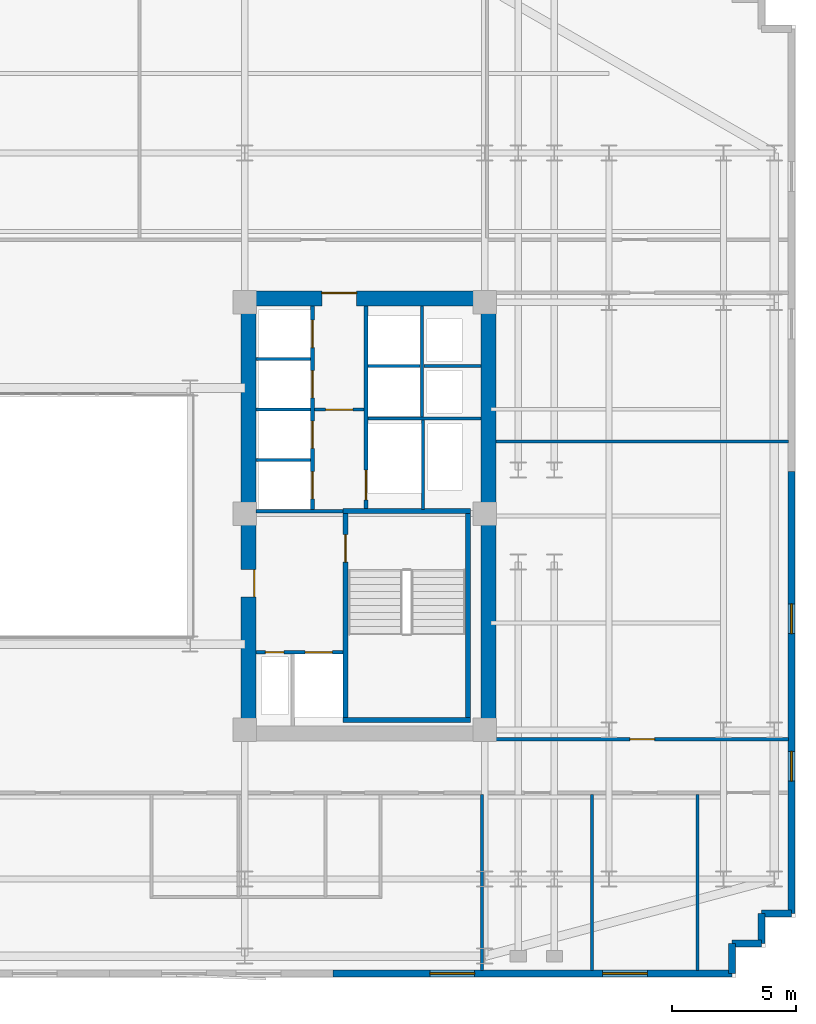
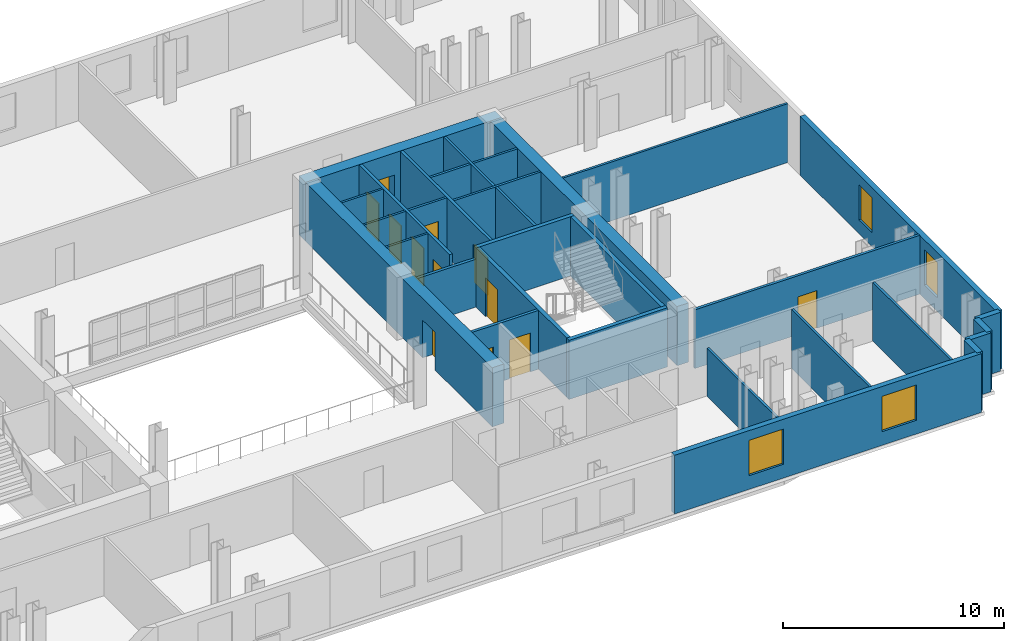
# One storey, part 9 of 12: 31 walls, 12 doors, 4 windows, 16 openings.
"""IFC4 building model written with IfcOpenShell, lengths in metres."""

from ifc_helpers import new_model, si_unit, direction, frame, frame_2d, origin, place, context, subcontext, project, spatial, rectangle, extrude, material, layer, layer_set, type_object, element, fill, save


model = new_model("IFC4")

# Units and contexts
model_context = context("Model", 3, precision=1e-05, world=origin(), true_north=direction((0.0, 1.0)))
body_context = subcontext(model_context, "Body", "Model", "MODEL_VIEW")
ifc_project = project(units=[si_unit("LENGTHUNIT", "METRE"), si_unit("AREAUNIT", "SQUARE_METRE"), si_unit("VOLUMEUNIT", "CUBIC_METRE"), si_unit("PLANEANGLEUNIT", "RADIAN"), si_unit("MASSUNIT", "GRAM", prefix="KILO")], contexts=[model_context])

# Site, building, storey
site_placement = place(None, origin())
site = spatial("IfcSite", under=ifc_project, at=site_placement, CompositionType="ELEMENT")
building_placement = place(site_placement, origin())
building = spatial("IfcBuilding", under=site, at=building_placement, Name="Velakula Bourse", CompositionType="ELEMENT")
storey_placement = place(building_placement, frame((0.0, 0.0, 134.64990234375)))
storey = spatial("IfcBuildingStorey", under=building, at=storey_placement, Name="L36", CompositionType="ELEMENT", Elevation=134.64990234375)

# Wall, opening, door
ifc_material_1 = material(Name="Concrete M50 (fck 50 MPa)", Category="concrete")
ifc_layer_1 = layer(ifc_material_1, 0.2099609375, Name="Concrete M50 (fck 50 MPa)", Category="concrete")
ifc_layer_set_1 = layer_set([ifc_layer_1], Name="Concrete M50 (fck 50 MPa)")
wall_type_1 = type_object("IfcWallType", Name="WL-CORE-210", PredefinedType="SHEAR", material=ifc_layer_set_1)
wall_1_placement = place(storey_placement, frame((12.9951171875, -8.10009765625, 0.0), z_axis=(0.0, 0.0, 1.0), x_axis=(0.0, 1.0, 0.0)))
wall_1 = element("IfcWall", 1, at=wall_1_placement, inside=storey, type_object=wall_type_1, Name="L36 Core E Stairwell Shear Wall IN", PredefinedType="SHEAR", context=body_context, shape_type="SweptSolid", body=[
    extrude(rectangle(XDim=8.2001953125, YDim=0.2099609375, at=frame_2d((4.10009765625, 0.0))), origin(), (0.0, 0.0, 1.0), 3.27001953125),
])
opening_1_placement = place(wall_1_placement, frame((6.25, 0.0, 0.0)))
opening_1 = element("IfcOpeningElement", 2, at=opening_1_placement, cuts=wall_1, Name="Opening D-STE1", PredefinedType="OPENING", context=body_context, shape_type="SweptSolid", body=[
    extrude(rectangle(XDim=1.10009765625, YDim=2.14990234375, at=frame_2d((0.550048828125, 1.074951171875))), frame((0.0, 0.114990234375, 0.0), z_axis=(0.0, -1.0, 0.0), x_axis=(1.0, 0.0, 0.0)), (0.0, 0.0, 1.0), 0.22998046875),
])
ifc_material_2 = material(Name="Galvanised painted hollow steel fire door", Category="steel")
door_type_1 = type_object("IfcDoorType", Name="DR-FD120-1100x2150", OperationType="NOTDEFINED", PredefinedType="DOOR", material=ifc_material_2)
door_1_placement = place(opening_1_placement, origin())
door_1 = element("IfcDoor", 3, at=door_1_placement, inside=storey, type_object=door_type_1, Name="L36 Stair ST-E1 Fire Door", OperationType="SINGLE_SWING_RIGHT", OverallHeight=2.14990234375, OverallWidth=1.10009765625, PredefinedType="DOOR", context=body_context, shape_type="SweptSolid", body=[
    extrude(rectangle(XDim=1.10009765625, YDim=2.14990234375, at=frame_2d((0.550048828125, 1.074951171875))), frame((0.0, 0.02490234375, 0.0), z_axis=(0.0, -1.0, 0.0), x_axis=(1.0, 0.0, 0.0)), (0.0, 0.0, 1.0), 0.050048828125),
])
fill(opening_1, door_1)

# Walls
wall_2_placement = place(storey_placement, frame((17.925048828125, -8.10009765625, 0.0), z_axis=(0.0, 0.0, 1.0), x_axis=(0.0, 1.0, 0.0)))
element("IfcWall", 4, at=wall_2_placement, inside=storey, type_object=wall_type_1, Name="L36 Core E Stairwell Shear Wall OUT", PredefinedType="SHEAR", context=body_context, shape_type="SweptSolid", body=[
    extrude(rectangle(XDim=8.2001953125, YDim=0.2099609375, at=frame_2d((4.10009765625, 0.0))), origin(), (0.0, 0.0, 1.0), 3.27001953125),
])
for number, where, z_axis, x_axis, name in (
    (5, (12.889892578125, -8.205078125, 0.0), (0.0, 0.0, 1.0), (1.0, 0.0, 0.0), "L36 Core E Stairwell Shear Wall S"),
    (6, (18.030029296875, 0.205078125, 0.0), (0.0, 0.0, 1.0), (-1.0, 0.0, 0.0), "L36 Core E Stairwell Shear Wall N"),
):
    element("IfcWall", number, at=place(storey_placement, frame(where, z_axis=z_axis, x_axis=x_axis)), inside=storey, type_object=wall_type_1, Name=name, PredefinedType="SHEAR", context=body_context, shape_type="SweptSolid", body=[
        extrude(rectangle(XDim=5.14013671875, YDim=0.2099609375, at=frame_2d((2.570068359375, 0.0))), origin(), (0.0, 0.0, 1.0), 3.27001953125),
    ])

# Wall, opening, door
ifc_material_3 = material(Name="Concrete M70 (fck 70 MPa)", Category="concrete")
ifc_layer_2 = layer(ifc_material_3, 0.60009765625, Name="Concrete M70 (fck 70 MPa)", Category="concrete")
ifc_layer_set_2 = layer_set([ifc_layer_2], Name="Concrete M70 (fck 70 MPa)")
wall_type_2 = type_object("IfcWallType", Name="WL-CORE-600", PredefinedType="SHEAR", material=ifc_layer_set_2)
wall_3_placement = place(storey_placement, frame((8.800048828125, 8.75, 0.0), z_axis=(0.0, 0.0, 1.0), x_axis=(1.0, 0.0, 0.0)))
wall_3 = element("IfcWall", 7, at=wall_3_placement, inside=storey, type_object=wall_type_2, Name="L36 Core E Shear Wall N", PredefinedType="SHEAR", context=body_context, shape_type="SweptSolid", body=[
    extrude(rectangle(XDim=10.25, YDim=0.60009765625, at=frame_2d((5.125, 0.0))), origin(), (0.0, 0.0, 1.0), 3.27001953125),
])
opening_2_placement = place(wall_3_placement, frame((3.25, 0.0, 0.0)))
opening_2 = element("IfcOpeningElement", 8, at=opening_2_placement, cuts=wall_3, Name="Opening D-LLE", PredefinedType="OPENING", context=body_context, shape_type="SweptSolid", body=[
    extrude(rectangle(XDim=1.39990234375, YDim=2.050048828125, at=frame_2d((0.699951171875, 1.02490234375))), frame((0.0, 0.31005859375, 0.0), z_axis=(0.0, -1.0, 0.0), x_axis=(1.0, 0.0, 0.0)), (0.0, 0.0, 1.0), 0.6201171875),
])
ifc_material_4 = material(Name="Fire-rated hardwood flush architectural door", Category="wood")
door_type_2 = type_object("IfcDoorType", Name="DR-DBL-FD60-1400", OperationType="DOUBLE_DOOR_SINGLE_SWING", PredefinedType="DOOR", material=ifc_material_4)
door_2_placement = place(opening_2_placement, origin())
door_2 = element("IfcDoor", 9, at=door_2_placement, inside=storey, type_object=door_type_2, Name="L36 Core E Lift Lobby Corridor Double Door", OperationType="DOUBLE_DOOR_SINGLE_SWING", OverallHeight=2.050048828125, OverallWidth=1.39990234375, PredefinedType="DOOR", context=body_context, shape_type="SweptSolid", body=[
    extrude(rectangle(XDim=1.39990234375, YDim=2.050048828125, at=frame_2d((0.699951171875, 1.02490234375))), frame((0.0, 0.2451171875, 0.0), z_axis=(0.0, -1.0, 0.0), x_axis=(1.0, 0.0, 0.0)), (0.0, 0.0, 1.0), 0.050048828125),
])
fill(opening_2, door_2)

wall_4_placement = place(storey_placement, frame((9.10009765625, -8.449951171875, 0.0), z_axis=(0.0, 0.0, 1.0), x_axis=(0.0, 1.0, 0.0)))
wall_4 = element("IfcWall", 10, at=wall_4_placement, inside=storey, type_object=wall_type_2, Name="L36 Core E Shear Wall W", PredefinedType="SHEAR", context=body_context, shape_type="SweptSolid", body=[
    extrude(rectangle(XDim=16.89990234375, YDim=0.60009765625, at=frame_2d((8.449951171875, 0.0))), origin(), (0.0, 0.0, 1.0), 3.27001953125),
])
opening_3_placement = place(wall_4_placement, frame((5.199951171875, 0.0, 0.0)))
opening_3 = element("IfcOpeningElement", 11, at=opening_3_placement, cuts=wall_4, Name="Opening D-FLE", PredefinedType="OPENING", context=body_context, shape_type="SweptSolid", body=[
    extrude(rectangle(XDim=1.10009765625, YDim=2.080078125, at=frame_2d((0.550048828125, 1.0400390625))), frame((0.0, 0.31005859375, 0.0), z_axis=(0.0, -1.0, 0.0), x_axis=(1.0, 0.0, 0.0)), (0.0, 0.0, 1.0), 0.6201171875),
])
door_type_3 = type_object("IfcDoorType", Name="DR-FD120-1100", OperationType="NOTDEFINED", PredefinedType="DOOR", material=ifc_material_2)
door_3_placement = place(opening_3_placement, origin())
door_3 = element("IfcDoor", 12, at=door_3_placement, inside=storey, type_object=door_type_3, Name="L36 Firefighting Lobby E Corridor Fire Door", OperationType="SINGLE_SWING_RIGHT", OverallHeight=2.080078125, OverallWidth=1.10009765625, PredefinedType="DOOR", context=body_context, shape_type="SweptSolid", body=[
    extrude(rectangle(XDim=1.10009765625, YDim=2.080078125, at=frame_2d((0.550048828125, 1.0400390625))), frame((0.0, -0.205078125, 0.0), z_axis=(0.0, -1.0, 0.0), x_axis=(1.0, 0.0, 0.0)), (0.0, 0.0, 1.0), 0.050048828125),
])
fill(opening_3, door_3)

# Wall
wall_5_placement = place(storey_placement, frame((18.75, -8.449951171875, 0.0), z_axis=(0.0, 0.0, 1.0), x_axis=(0.0, 1.0, 0.0)))
element("IfcWall", 13, at=wall_5_placement, inside=storey, type_object=wall_type_2, Name="L36 Core E Shear Wall E", PredefinedType="SHEAR", context=body_context, shape_type="SweptSolid", body=[
    extrude(rectangle(XDim=16.89990234375, YDim=0.60009765625, at=frame_2d((8.449951171875, 0.0))), origin(), (0.0, 0.0, 1.0), 3.27001953125),
])

# Wall, openings, windows
ifc_material_5 = material(Name="Red kilned clay facing brick masonry", Category="masonry")
ifc_layer_3 = layer(ifc_material_5, 0.280029296875, Name="Red kilned clay facing brick masonry", Category="masonry")
ifc_layer_set_3 = layer_set([ifc_layer_3], Name="Red kilned clay facing brick masonry")
wall_type_3 = type_object("IfcWallType", Name="WL-EXT-BRK-280", PredefinedType="STANDARD", material=ifc_layer_set_3)
wall_6_placement = place(storey_placement, frame((28.5400390625, -18.389892578125, 0.0), z_axis=(0.0, 0.0, 1.0), x_axis=(-1.0, 0.0, 0.0)))
wall_6 = element("IfcWall", 14, at=wall_6_placement, inside=storey, type_object=wall_type_3, Name="L36 S Brick Spandrel Wall B5", PredefinedType="STANDARD", context=body_context, shape_type="SweptSolid", body=[
    extrude(rectangle(XDim=16.0400390625, YDim=0.280029296875, at=frame_2d((8.02001953125, 0.0))), origin(), (0.0, 0.0, 1.0), 3.25),
])
opening_4_placement = place(wall_6_placement, frame((3.396728515625, 0.0, 0.760009765625)))
opening_4 = element("IfcOpeningElement", 15, at=opening_4_placement, cuts=wall_6, Name="Opening W-01", PredefinedType="OPENING", context=body_context, shape_type="SweptSolid", body=[
    extrude(rectangle(XDim=1.800048828125, YDim=1.949951171875, at=frame_2d((0.89990234375, 0.97509765625))), frame((0.0, 0.14990234375, 0.0), z_axis=(0.0, -1.0, 0.0), x_axis=(1.0, 0.0, 0.0)), (0.0, 0.0, 1.0), 0.300048828125),
])
opening_5_placement = place(wall_6_placement, frame((10.34326171875, 0.0, 0.760009765625)))
opening_5 = element("IfcOpeningElement", 16, at=opening_5_placement, cuts=wall_6, Name="Opening W-01", PredefinedType="OPENING", context=body_context, shape_type="SweptSolid", body=[
    extrude(rectangle(XDim=1.800048828125, YDim=1.949951171875, at=frame_2d((0.89990234375, 0.97509765625))), frame((0.0, 0.14990234375, 0.0), z_axis=(0.0, -1.0, 0.0), x_axis=(1.0, 0.0, 0.0)), (0.0, 0.0, 1.0), 0.300048828125),
])
ifc_material_6 = material(Name="Double-glazed solar-control Low-E glass", Category="glass")
window_type_1 = type_object("IfcWindowType", Name="WIN-TWR-1800x2100", PartitioningType="SINGLE_PANEL", PredefinedType="WINDOW", material=ifc_material_6)
window_1_placement = place(opening_4_placement, origin())
window_1 = element("IfcWindow", 17, at=window_1_placement, inside=storey, type_object=window_type_1, Name="L36 Deep-Set Recessed Window 1", OverallHeight=1.949951171875, OverallWidth=1.800048828125, PartitioningType="SINGLE_PANEL", PredefinedType="WINDOW", context=body_context, shape_type="SweptSolid", body=[
    extrude(rectangle(XDim=1.800048828125, YDim=1.949951171875, at=frame_2d((0.89990234375, 0.97509765625))), frame((0.0, 0.030029296875, 0.0), z_axis=(0.0, -1.0, 0.0), x_axis=(1.0, 0.0, 0.0)), (0.0, 0.0, 1.0), 0.06005859375),
])
fill(opening_4, window_1)
window_2_placement = place(opening_5_placement, origin())
window_2 = element("IfcWindow", 18, at=window_2_placement, inside=storey, type_object=window_type_1, Name="L36 Deep-Set Recessed Window 2", OverallHeight=1.949951171875, OverallWidth=1.800048828125, PartitioningType="SINGLE_PANEL", PredefinedType="WINDOW", context=body_context, shape_type="SweptSolid", body=[
    extrude(rectangle(XDim=1.800048828125, YDim=1.949951171875, at=frame_2d((0.89990234375, 0.97509765625))), frame((0.0, 0.030029296875, 0.0), z_axis=(0.0, -1.0, 0.0), x_axis=(1.0, 0.0, 0.0)), (0.0, 0.0, 1.0), 0.06005859375),
])
fill(opening_5, window_2)

wall_7_placement = place(storey_placement, frame((30.93994140625, 1.800048828125, 0.0), z_axis=(0.0, 0.0, 1.0), x_axis=(0.0, -1.0, 0.0)))
wall_7 = element("IfcWall", 19, at=wall_7_placement, inside=storey, type_object=wall_type_3, Name="L36 E Brick End Wall W1", PredefinedType="STANDARD", context=body_context, shape_type="SweptSolid", body=[
    extrude(rectangle(XDim=17.7900390625, YDim=0.280029296875, at=frame_2d((8.89501953125, 0.0))), origin(), (0.0, 0.0, 1.0), 3.25),
])
opening_6_placement = place(wall_7_placement, frame((5.330078125, 0.0, 0.760009765625)))
opening_6 = element("IfcOpeningElement", 20, at=opening_6_placement, cuts=wall_7, Name="Opening W-04", PredefinedType="OPENING", context=body_context, shape_type="SweptSolid", body=[
    extrude(rectangle(XDim=1.199951171875, YDim=1.949951171875, at=frame_2d((0.60009765625, 0.97509765625))), frame((0.0, 0.14990234375, 0.0), z_axis=(0.0, -1.0, 0.0), x_axis=(1.0, 0.0, 0.0)), (0.0, 0.0, 1.0), 0.300048828125),
])
opening_7_placement = place(wall_7_placement, frame((11.260009765625, 0.0, 0.760009765625)))
opening_7 = element("IfcOpeningElement", 21, at=opening_7_placement, cuts=wall_7, Name="Opening W-04", PredefinedType="OPENING", context=body_context, shape_type="SweptSolid", body=[
    extrude(rectangle(XDim=1.199951171875, YDim=1.949951171875, at=frame_2d((0.60009765625, 0.97509765625))), frame((0.0, 0.14990234375, 0.0), z_axis=(0.0, -1.0, 0.0), x_axis=(1.0, 0.0, 0.0)), (0.0, 0.0, 1.0), 0.300048828125),
])
window_type_2 = type_object("IfcWindowType", Name="WIN-TWR-1200x2100", PartitioningType="SINGLE_PANEL", PredefinedType="WINDOW", material=ifc_material_6)
window_3_placement = place(opening_6_placement, origin())
window_3 = element("IfcWindow", 22, at=window_3_placement, inside=storey, type_object=window_type_2, Name="L36 Deep-Set Recessed Window 1", OverallHeight=1.949951171875, OverallWidth=1.199951171875, PartitioningType="SINGLE_PANEL", PredefinedType="WINDOW", context=body_context, shape_type="SweptSolid", body=[
    extrude(rectangle(XDim=1.199951171875, YDim=1.949951171875, at=frame_2d((0.60009765625, 0.97509765625))), frame((0.0, 0.030029296875, 0.0), z_axis=(0.0, -1.0, 0.0), x_axis=(1.0, 0.0, 0.0)), (0.0, 0.0, 1.0), 0.06005859375),
])
fill(opening_6, window_3)
window_4_placement = place(opening_7_placement, origin())
window_4 = element("IfcWindow", 23, at=window_4_placement, inside=storey, type_object=window_type_2, Name="L36 Deep-Set Recessed Window 2", OverallHeight=1.949951171875, OverallWidth=1.199951171875, PartitioningType="SINGLE_PANEL", PredefinedType="WINDOW", context=body_context, shape_type="SweptSolid", body=[
    extrude(rectangle(XDim=1.199951171875, YDim=1.949951171875, at=frame_2d((0.60009765625, 0.97509765625))), frame((0.0, 0.030029296875, 0.0), z_axis=(0.0, -1.0, 0.0), x_axis=(1.0, 0.0, 0.0)), (0.0, 0.0, 1.0), 0.06005859375),
])
fill(opening_7, window_4)

# Walls
for number, where, z_axis, x_axis, name in (
    (24, (28.5400390625, -18.389892578125, 0.0), (0.0, 0.0, 1.0), (0.0, 1.0, 0.0), "L36 Serrated Corner Brick Wall SE-1"),
    (25, (28.5400390625, -17.18994140625, 0.0), (0.0, 0.0, 1.0), (1.0, 0.0, 0.0), "L36 Serrated Corner Brick Wall SE-2"),
    (26, (29.739990234375, -17.18994140625, 0.0), (0.0, 0.0, 1.0), (0.0, 1.0, 0.0), "L36 Serrated Corner Brick Wall SE-3"),
    (27, (29.739990234375, -15.989990234375, 0.0), (0.0, 0.0, 1.0), (1.0, 0.0, 0.0), "L36 Serrated Corner Brick Wall SE-4"),
):
    element("IfcWall", number, at=place(storey_placement, frame(where, z_axis=z_axis, x_axis=x_axis)), inside=storey, type_object=wall_type_3, Name=name, PredefinedType="STANDARD", context=body_context, shape_type="SweptSolid", body=[
        extrude(rectangle(XDim=1.199951171875, YDim=0.280029296875, at=frame_2d((0.60009765625, 0.0))), origin(), (0.0, 0.0, 1.0), 3.25),
    ])

# Wall, opening, door
ifc_material_7 = material(Name="Fire-rated double-layer gypsum drywall partition", Category="gypsum")
ifc_layer_4 = layer(ifc_material_7, 0.1201171875, Name="Fire-rated double-layer gypsum drywall partition", Category="gypsum")
ifc_layer_set_4 = layer_set([ifc_layer_4], Name="Fire-rated double-layer gypsum drywall partition")
wall_type_4 = type_object("IfcWallType", Name="WL-PART-120", PredefinedType="STANDARD", material=ifc_layer_set_4)
wall_8_placement = place(storey_placement, frame((11.75, 4.280029296875, 0.0), z_axis=(0.0, 0.0, 1.0), x_axis=(1.0, 0.0, 0.0)))
wall_8 = element("IfcWall", 28, at=wall_8_placement, inside=storey, type_object=wall_type_4, Name="L36 Interior Partition WL-CRE-L36-LL-K2", PredefinedType="STANDARD", context=body_context, shape_type="SweptSolid", body=[
    extrude(rectangle(XDim=2.0, YDim=0.1201171875, at=frame_2d((1.0, 0.0))), origin(), (0.0, 0.0, 1.0), 3.25),
])
opening_8_placement = place(wall_8_placement, frame((0.449951171875, 0.0, 0.0)))
opening_8 = element("IfcOpeningElement", 29, at=opening_8_placement, cuts=wall_8, Name="Opening D-LK2", PredefinedType="OPENING", context=body_context, shape_type="SweptSolid", body=[
    extrude(rectangle(XDim=1.10009765625, YDim=2.10009765625, at=frame_2d((0.550048828125, 1.050048828125))), frame((0.0, 0.070068359375, 0.0), z_axis=(0.0, -1.0, 0.0), x_axis=(1.0, 0.0, 0.0)), (0.0, 0.0, 1.0), 0.14013671875),
])
door_type_4 = type_object("IfcDoorType", Name="DR-FD60-1100x2100", OperationType="NOTDEFINED", PredefinedType="DOOR", material=ifc_material_4)
door_4_placement = place(opening_8_placement, origin())
door_4 = element("IfcDoor", 30, at=door_4_placement, inside=storey, type_object=door_type_4, Name="L36 Core E Lift Lobby Zone Door", OperationType="SINGLE_SWING_LEFT", OverallHeight=2.10009765625, OverallWidth=1.10009765625, PredefinedType="DOOR", context=body_context, shape_type="SweptSolid", body=[
    extrude(rectangle(XDim=1.10009765625, YDim=2.10009765625, at=frame_2d((0.550048828125, 1.050048828125))), frame((0.0, 0.02490234375, 0.0), z_axis=(0.0, -1.0, 0.0), x_axis=(1.0, 0.0, 0.0)), (0.0, 0.0, 1.0), 0.050048828125),
])
fill(opening_8, door_4)

# Walls
for number, where, z_axis, x_axis, name in (
    (31, (9.39990234375, 2.2548828125, 0.0), (0.0, 0.0, 1.0), (1.0, 0.0, 0.0), "L36 Interior Partition WL-CRE-L36-BDIV-0"),
    (32, (9.39990234375, 4.284912109375, 0.0), (0.0, 0.0, 1.0), (1.0, 0.0, 0.0), "L36 Interior Partition WL-CRE-L36-BDIV-1"),
    (33, (9.39990234375, 6.31494140625, 0.0), (0.0, 0.0, 1.0), (1.0, 0.0, 0.0), "L36 Interior Partition WL-CRE-L36-BDIV-2"),
):
    element("IfcWall", number, at=place(storey_placement, frame(where, z_axis=z_axis, x_axis=x_axis)), inside=storey, type_object=wall_type_4, Name=name, PredefinedType="STANDARD", context=body_context, shape_type="SweptSolid", body=[
        extrude(rectangle(XDim=2.2001953125, YDim=0.110107421875, at=frame_2d((1.10009765625, 0.0))), origin(), (0.0, 0.0, 1.0), 3.25),
    ])
wall_9_placement = place(storey_placement, frame((13.89990234375, 3.919921875, 0.0), z_axis=(0.0, 0.0, 1.0), x_axis=(1.0, 0.0, 0.0)))
element("IfcWall", 34, at=wall_9_placement, inside=storey, type_object=wall_type_4, Name="L36 Interior Partition WL-CRE-L36-HI-S", PredefinedType="STANDARD", context=body_context, shape_type="SweptSolid", body=[
    extrude(rectangle(XDim=4.550048828125, YDim=0.1201171875, at=frame_2d((2.27490234375, 0.0))), origin(), (0.0, 0.0, 1.0), 3.25),
])
wall_10_placement = place(storey_placement, frame((16.14990234375, 6.030029296875, 0.0), z_axis=(0.0, 0.0, 1.0), x_axis=(1.0, 0.0, 0.0)))
element("IfcWall", 35, at=wall_10_placement, inside=storey, type_object=wall_type_4, Name="L36 Interior Partition WL-CRE-L36-RIS-MID", PredefinedType="STANDARD", context=body_context, shape_type="SweptSolid", body=[
    extrude(rectangle(XDim=2.300048828125, YDim=0.1201171875, at=frame_2d((1.14990234375, 0.0))), origin(), (0.0, 0.0, 1.0), 3.25),
])
wall_11_placement = place(storey_placement, frame((16.074951171875, 3.97998046875, 0.0), z_axis=(0.0, 0.0, 1.0), x_axis=(0.0, 1.0, 0.0)))
element("IfcWall", 36, at=wall_11_placement, inside=storey, type_object=wall_type_4, Name="L36 Interior Partition WL-CRE-L36-RIS-F", PredefinedType="STANDARD", context=body_context, shape_type="SweptSolid", body=[
    extrude(rectangle(XDim=4.469970703125, YDim=0.1201171875, at=frame_2d((2.23486328125, 0.0))), origin(), (0.0, 0.0, 1.0), 3.25),
])
wall_12_placement = place(storey_placement, frame((13.89990234375, 6.030029296875, 0.0), z_axis=(0.0, 0.0, 1.0), x_axis=(1.0, 0.0, 0.0)))
element("IfcWall", 37, at=wall_12_placement, inside=storey, type_object=wall_type_4, Name="L36 Interior Partition WL-CRE-L36-HI-DIV", PredefinedType="STANDARD", context=body_context, shape_type="SweptSolid", body=[
    extrude(rectangle(XDim=2.10009765625, YDim=0.1201171875, at=frame_2d((1.050048828125, 0.0))), origin(), (0.0, 0.0, 1.0), 3.25),
])
wall_13_placement = place(storey_placement, frame((16.125, 0.27001953125, 0.0), z_axis=(0.0, 0.0, 1.0), x_axis=(0.0, 1.0, 0.0)))
element("IfcWall", 38, at=wall_13_placement, inside=storey, type_object=wall_type_4, Name="L36 Interior Partition WL-CRE-L36-SVL-E", PredefinedType="STANDARD", context=body_context, shape_type="SweptSolid", body=[
    extrude(rectangle(XDim=3.590087890625, YDim=0.1201171875, at=frame_2d((1.794921875, 0.0))), origin(), (0.0, 0.0, 1.0), 3.25),
])
wall_14_placement = place(storey_placement, frame((18.489990234375, -18.27001953125, 0.0), z_axis=(0.0, 0.0, 1.0), x_axis=(0.0, 1.0, 0.0)))
element("IfcWall", 39, at=wall_14_placement, inside=storey, type_object=wall_type_4, Name="L36 Interior Partition WL-INT-L36-SR-D8", PredefinedType="STANDARD", context=body_context, shape_type="SweptSolid", body=[
    extrude(rectangle(XDim=7.080078125, YDim=0.1201171875, at=frame_2d((3.5400390625, 0.0))), origin(), (0.0, 0.0, 1.0), 2.64501953125),
])
for number, where, z_axis, x_axis, name in (
    (40, (22.906982421875, -18.27001953125, 0.0), (0.0, 0.0, 1.0), (0.0, 1.0, 0.0), "L36 Interior Partition WL-INT-L36-SR-D9"),
    (41, (27.160888671875, -18.27001953125, 0.0), (0.0, 0.0, 1.0), (0.0, 1.0, 0.0), "L36 Interior Partition WL-INT-L36-SR-D10"),
):
    element("IfcWall", number, at=place(storey_placement, frame(where, z_axis=z_axis, x_axis=x_axis)), inside=storey, type_object=wall_type_4, Name=name, PredefinedType="STANDARD", context=body_context, shape_type="SweptSolid", body=[
        extrude(rectangle(XDim=7.080078125, YDim=0.1201171875, at=frame_2d((3.5400390625, 0.0))), origin(), (0.0, 0.0, 1.0), 3.25),
    ])
wall_15_placement = place(storey_placement, frame((19.050048828125, 3.0, 0.0), z_axis=(0.0, 0.0, 1.0), x_axis=(1.0, 0.0, 0.0)))
element("IfcWall", 42, at=wall_15_placement, inside=storey, type_object=wall_type_4, Name="L36 Interior Partition WL-INT-L36-E-H", PredefinedType="STANDARD", context=body_context, shape_type="SweptSolid", body=[
    extrude(rectangle(XDim=11.77001953125, YDim=0.1201171875, at=frame_2d((5.885009765625, 0.0))), origin(), (0.0, 0.0, 1.0), 3.25),
])

# Wall, opening, door
ifc_layer_5 = layer(ifc_material_7, 0.139892578125, Name="Fire-rated double-layer gypsum drywall partition", Category="gypsum")
ifc_layer_set_5 = layer_set([ifc_layer_5], Name="Fire-rated double-layer gypsum drywall partition")
wall_type_5 = type_object("IfcWallType", Name="WL-PART-140", PredefinedType="STANDARD", material=ifc_layer_set_5)
wall_16_placement = place(storey_placement, frame((19.050048828125, -8.97998046875, 0.0), z_axis=(0.0, 0.0, 1.0), x_axis=(1.0, 0.0, 0.0)))
wall_16 = element("IfcWall", 43, at=wall_16_placement, inside=storey, type_object=wall_type_5, Name="L36 Interior Partition WL-INT-L36-E-SC", PredefinedType="STANDARD", context=body_context, shape_type="SweptSolid", body=[
    extrude(rectangle(XDim=11.77001953125, YDim=0.139892578125, at=frame_2d((5.885009765625, 0.0))), origin(), (0.0, 0.0, 1.0), 3.25),
])
opening_9_placement = place(wall_16_placement, frame((5.385009765625, 0.0, 0.0)))
opening_9 = element("IfcOpeningElement", 44, at=opening_9_placement, cuts=wall_16, Name="Opening D-OF1", PredefinedType="OPENING", context=body_context, shape_type="SweptSolid", body=[
    extrude(rectangle(XDim=1.0, YDim=2.080078125, at=frame_2d((0.5, 1.0400390625))), frame((0.0, 0.079833984375, 0.0), z_axis=(0.0, -1.0, 0.0), x_axis=(1.0, 0.0, 0.0)), (0.0, 0.0, 1.0), 0.159912109375),
])
door_type_5 = type_object("IfcDoorType", Name="DR-OFF-1000", OperationType="NOTDEFINED", PredefinedType="DOOR", material=ifc_material_4)
door_5_placement = place(opening_9_placement, origin())
door_5 = element("IfcDoor", 45, at=door_5_placement, inside=storey, type_object=door_type_5, Name="L36 FX Spot Dealing Workspace Door", OperationType="SINGLE_SWING_RIGHT", OverallHeight=2.080078125, OverallWidth=1.0, PredefinedType="DOOR", context=body_context, shape_type="SweptSolid", body=[
    extrude(rectangle(XDim=1.0, YDim=2.080078125, at=frame_2d((0.5, 1.0400390625))), frame((0.0, 0.02490234375, 0.0), z_axis=(0.0, -1.0, 0.0), x_axis=(1.0, 0.0, 0.0)), (0.0, 0.0, 1.0), 0.050048828125),
])
fill(opening_9, door_5)

# Wall, openings, doors
ifc_material_8 = material(Name="Autoclaved aerated concrete blockwork masonry", Category="masonry")
ifc_layer_6 = layer(ifc_material_8, 0.14990234375, Name="Autoclaved aerated concrete blockwork masonry", Category="masonry")
ifc_layer_set_6 = layer_set([ifc_layer_6], Name="Autoclaved aerated concrete blockwork masonry")
wall_type_6 = type_object("IfcWallType", Name="WL-SHAFT-150", PredefinedType="STANDARD", material=ifc_layer_set_6)
wall_17_placement = place(storey_placement, frame((9.39990234375, -5.47509765625, 0.0), z_axis=(0.0, 0.0, 1.0), x_axis=(1.0, 0.0, 0.0)))
wall_17 = element("IfcWall", 46, at=wall_17_placement, inside=storey, type_object=wall_type_6, Name="L36 Interior Partition WL-CRE-L36-FFL-N", PredefinedType="STANDARD", context=body_context, shape_type="SweptSolid", body=[
    extrude(rectangle(XDim=3.4951171875, YDim=0.14990234375, at=frame_2d((1.74755859375, 0.0))), origin(), (0.0, 0.0, 1.0), 3.25),
])
opening_10_placement = place(wall_17_placement, frame((1.97509765625, 0.0, 0.0)))
opening_10 = element("IfcOpeningElement", 47, at=opening_10_placement, cuts=wall_17, Name="Opening LD-FFL-2", PredefinedType="OPENING", context=body_context, shape_type="SweptSolid", body=[
    extrude(rectangle(XDim=1.10009765625, YDim=2.14990234375, at=frame_2d((0.550048828125, 1.074951171875))), frame((0.0, 0.0849609375, 0.0), z_axis=(0.0, -1.0, 0.0), x_axis=(1.0, 0.0, 0.0)), (0.0, 0.0, 1.0), 0.169921875),
])
opening_11_placement = place(wall_17_placement, frame((0.375, 0.0, 0.0)))
opening_11 = element("IfcOpeningElement", 48, at=opening_11_placement, cuts=wall_17, Name="Opening D-RS1", PredefinedType="OPENING", context=body_context, shape_type="SweptSolid", body=[
    extrude(rectangle(XDim=0.75, YDim=2.050048828125, at=frame_2d((0.375, 1.02490234375))), frame((0.0, 0.0849609375, 0.0), z_axis=(0.0, -1.0, 0.0), x_axis=(1.0, 0.0, 0.0)), (0.0, 0.0, 1.0), 0.169921875),
])
door_type_6 = type_object("IfcDoorType", Name="DR-RISER-800", OperationType="NOTDEFINED", PredefinedType="DOOR", material=ifc_material_2)
door_6_placement = place(opening_11_placement, origin())
door_6 = element("IfcDoor", 49, at=door_6_placement, inside=storey, type_object=door_type_6, Name="L36 Fire Riser Access Door", OperationType="SINGLE_SWING_LEFT", OverallHeight=2.050048828125, OverallWidth=0.75, PredefinedType="DOOR", context=body_context, shape_type="SweptSolid", body=[
    extrude(rectangle(XDim=0.75, YDim=2.050048828125, at=frame_2d((0.375, 1.02490234375))), frame((0.0, 0.02490234375, 0.0), z_axis=(0.0, -1.0, 0.0), x_axis=(1.0, 0.0, 0.0)), (0.0, 0.0, 1.0), 0.050048828125),
])
fill(opening_11, door_6)
ifc_material_9 = material(Name="Brushed grade 316 stainless steel", Category="steel")
door_type_7 = type_object("IfcDoorType", Name="DR-SLIDE-FFL-1100", OperationType="DOUBLE_DOOR_SLIDING", PredefinedType="DOOR", material=ifc_material_9)
door_7_placement = place(opening_10_placement, origin())
door_7 = element("IfcDoor", 50, at=door_7_placement, inside=storey, type_object=door_type_7, Name="L36 Firefighting Lift FFL-2 Sliding Landing Door", OperationType="DOUBLE_DOOR_SLIDING", OverallHeight=2.14990234375, OverallWidth=1.10009765625, PredefinedType="DOOR", context=body_context, shape_type="SweptSolid", body=[
    extrude(rectangle(XDim=1.10009765625, YDim=2.14990234375, at=frame_2d((0.550048828125, 1.074951171875))), frame((0.0, 0.02490234375, 0.0), z_axis=(0.0, -1.0, 0.0), x_axis=(1.0, 0.0, 0.0)), (0.0, 0.0, 1.0), 0.050048828125),
])
fill(opening_10, door_7)

# Wall
wall_18_placement = place(storey_placement, frame((9.39990234375, 0.18994140625, 0.0), z_axis=(0.0, 0.0, 1.0), x_axis=(1.0, 0.0, 0.0)))
element("IfcWall", 51, at=wall_18_placement, inside=storey, type_object=wall_type_6, Name="L36 Interior Partition WL-CRE-L36-FF-TOP", PredefinedType="STANDARD", context=body_context, shape_type="SweptSolid", body=[
    extrude(rectangle(XDim=3.489990234375, YDim=0.14990234375, at=frame_2d((1.7451171875, 0.0))), origin(), (0.0, 0.0, 1.0), 2.64501953125),
])

# Wall, openings, doors
wall_19_placement = place(storey_placement, frame((11.675048828125, 0.27001953125, 0.0), z_axis=(0.0, 0.0, 1.0), x_axis=(0.0, 1.0, 0.0)))
wall_19 = element("IfcWall", 52, at=wall_19_placement, inside=storey, type_object=wall_type_6, Name="L36 Interior Partition WL-CRE-L36-BANK-F", PredefinedType="STANDARD", context=body_context, shape_type="SweptSolid", body=[
    extrude(rectangle(XDim=8.179931640625, YDim=0.14990234375, at=frame_2d((4.08984375, 0.0))), origin(), (0.0, 0.0, 1.0), 3.25),
])
opening_12_placement = place(wall_19_placement, frame((0.419921875, 0.0, 0.0)))
opening_12 = element("IfcOpeningElement", 53, at=opening_12_placement, cuts=wall_19, Name="Opening LD-P5", PredefinedType="OPENING", context=body_context, shape_type="SweptSolid", body=[
    extrude(rectangle(XDim=1.10009765625, YDim=2.10009765625, at=frame_2d((0.550048828125, 1.050048828125))), frame((0.0, 0.0849609375, 0.0), z_axis=(0.0, -1.0, 0.0), x_axis=(1.0, 0.0, 0.0)), (0.0, 0.0, 1.0), 0.169921875),
])
opening_13_placement = place(wall_19_placement, frame((2.449951171875, 0.0, 0.0)))
opening_13 = element("IfcOpeningElement", 54, at=opening_13_placement, cuts=wall_19, Name="Opening LD-P6", PredefinedType="OPENING", context=body_context, shape_type="SweptSolid", body=[
    extrude(rectangle(XDim=1.10009765625, YDim=2.10009765625, at=frame_2d((0.550048828125, 1.050048828125))), frame((0.0, 0.0849609375, 0.0), z_axis=(0.0, -1.0, 0.0), x_axis=(1.0, 0.0, 0.0)), (0.0, 0.0, 1.0), 0.169921875),
])
opening_14_placement = place(wall_19_placement, frame((4.47998046875, 0.0, 0.0)))
opening_14 = element("IfcOpeningElement", 55, at=opening_14_placement, cuts=wall_19, Name="Opening LD-P7", PredefinedType="OPENING", context=body_context, shape_type="SweptSolid", body=[
    extrude(rectangle(XDim=1.10009765625, YDim=2.10009765625, at=frame_2d((0.550048828125, 1.050048828125))), frame((0.0, 0.0849609375, 0.0), z_axis=(0.0, -1.0, 0.0), x_axis=(1.0, 0.0, 0.0)), (0.0, 0.0, 1.0), 0.169921875),
])
opening_15_placement = place(wall_19_placement, frame((6.510009765625, 0.0, 0.0)))
opening_15 = element("IfcOpeningElement", 56, at=opening_15_placement, cuts=wall_19, Name="Opening LD-P8", PredefinedType="OPENING", context=body_context, shape_type="SweptSolid", body=[
    extrude(rectangle(XDim=1.10009765625, YDim=2.10009765625, at=frame_2d((0.550048828125, 1.050048828125))), frame((0.0, 0.0849609375, 0.0), z_axis=(0.0, -1.0, 0.0), x_axis=(1.0, 0.0, 0.0)), (0.0, 0.0, 1.0), 0.169921875),
])
door_type_8 = type_object("IfcDoorType", Name="DR-SLIDE-LD-1100", OperationType="DOUBLE_DOOR_SLIDING", PredefinedType="DOOR", material=ifc_material_9)
door_8_placement = place(opening_12_placement, origin())
door_8 = element("IfcDoor", 57, at=door_8_placement, inside=storey, type_object=door_type_8, Name="L36 Passenger Lift P5 Sliding Landing Door", OperationType="DOUBLE_DOOR_SLIDING", OverallHeight=2.10009765625, OverallWidth=1.10009765625, PredefinedType="DOOR", context=body_context, shape_type="SweptSolid", body=[
    extrude(rectangle(XDim=1.10009765625, YDim=2.10009765625, at=frame_2d((0.550048828125, 1.050048828125))), frame((0.0, 0.02490234375, 0.0), z_axis=(0.0, -1.0, 0.0), x_axis=(1.0, 0.0, 0.0)), (0.0, 0.0, 1.0), 0.050048828125),
])
fill(opening_12, door_8)
door_9_placement = place(opening_13_placement, origin())
door_9 = element("IfcDoor", 58, at=door_9_placement, inside=storey, type_object=door_type_8, Name="L36 Passenger Lift P6 Sliding Landing Door", OperationType="DOUBLE_DOOR_SLIDING", OverallHeight=2.10009765625, OverallWidth=1.10009765625, PredefinedType="DOOR", context=body_context, shape_type="SweptSolid", body=[
    extrude(rectangle(XDim=1.10009765625, YDim=2.10009765625, at=frame_2d((0.550048828125, 1.050048828125))), frame((0.0, 0.02490234375, 0.0), z_axis=(0.0, -1.0, 0.0), x_axis=(1.0, 0.0, 0.0)), (0.0, 0.0, 1.0), 0.050048828125),
])
fill(opening_13, door_9)
door_10_placement = place(opening_14_placement, origin())
door_10 = element("IfcDoor", 59, at=door_10_placement, inside=storey, type_object=door_type_8, Name="L36 Passenger Lift P7 Sliding Landing Door", OperationType="DOUBLE_DOOR_SLIDING", OverallHeight=2.10009765625, OverallWidth=1.10009765625, PredefinedType="DOOR", context=body_context, shape_type="SweptSolid", body=[
    extrude(rectangle(XDim=1.10009765625, YDim=2.10009765625, at=frame_2d((0.550048828125, 1.050048828125))), frame((0.0, 0.02490234375, 0.0), z_axis=(0.0, -1.0, 0.0), x_axis=(1.0, 0.0, 0.0)), (0.0, 0.0, 1.0), 0.050048828125),
])
fill(opening_14, door_10)
door_11_placement = place(opening_15_placement, origin())
door_11 = element("IfcDoor", 60, at=door_11_placement, inside=storey, type_object=door_type_8, Name="L36 Passenger Lift P8 Sliding Landing Door", OperationType="DOUBLE_DOOR_SLIDING", OverallHeight=2.10009765625, OverallWidth=1.10009765625, PredefinedType="DOOR", context=body_context, shape_type="SweptSolid", body=[
    extrude(rectangle(XDim=1.10009765625, YDim=2.10009765625, at=frame_2d((0.550048828125, 1.050048828125))), frame((0.0, 0.02490234375, 0.0), z_axis=(0.0, -1.0, 0.0), x_axis=(1.0, 0.0, 0.0)), (0.0, 0.0, 1.0), 0.050048828125),
])
fill(opening_15, door_11)

# Wall, opening, door
wall_20_placement = place(storey_placement, frame((13.824951171875, 0.27001953125, 0.0), z_axis=(0.0, 0.0, 1.0), x_axis=(0.0, 1.0, 0.0)))
wall_20 = element("IfcWall", 61, at=wall_20_placement, inside=storey, type_object=wall_type_6, Name="L36 Interior Partition WL-CRE-L36-OUT-F", PredefinedType="STANDARD", context=body_context, shape_type="SweptSolid", body=[
    extrude(rectangle(XDim=8.179931640625, YDim=0.14990234375, at=frame_2d((4.08984375, 0.0))), origin(), (0.0, 0.0, 1.0), 3.25),
])
opening_16_placement = place(wall_20_placement, frame((0.3798828125, 0.0, 0.0)))
opening_16 = element("IfcOpeningElement", 62, at=opening_16_placement, cuts=wall_20, Name="Opening LD-SVL1", PredefinedType="OPENING", context=body_context, shape_type="SweptSolid", body=[
    extrude(rectangle(XDim=1.199951171875, YDim=2.10009765625, at=frame_2d((0.60009765625, 1.050048828125))), frame((0.0, 0.0849609375, 0.0), z_axis=(0.0, -1.0, 0.0), x_axis=(1.0, 0.0, 0.0)), (0.0, 0.0, 1.0), 0.169921875),
])
door_type_9 = type_object("IfcDoorType", Name="DR-SLIDE-LD-1200", OperationType="DOUBLE_DOOR_SLIDING", PredefinedType="DOOR", material=ifc_material_9)
door_12_placement = place(opening_16_placement, origin())
door_12 = element("IfcDoor", 63, at=door_12_placement, inside=storey, type_object=door_type_9, Name="L36 Service Lift SVL-1 Sliding Landing Door", OperationType="DOUBLE_DOOR_SLIDING", OverallHeight=2.10009765625, OverallWidth=1.199951171875, PredefinedType="DOOR", context=body_context, shape_type="SweptSolid", body=[
    extrude(rectangle(XDim=1.199951171875, YDim=2.10009765625, at=frame_2d((0.60009765625, 1.050048828125))), frame((0.0, 0.02490234375, 0.0), z_axis=(0.0, -1.0, 0.0), x_axis=(1.0, 0.0, 0.0)), (0.0, 0.0, 1.0), 0.050048828125),
])
fill(opening_16, door_12)

save(model, "model.ifc")
